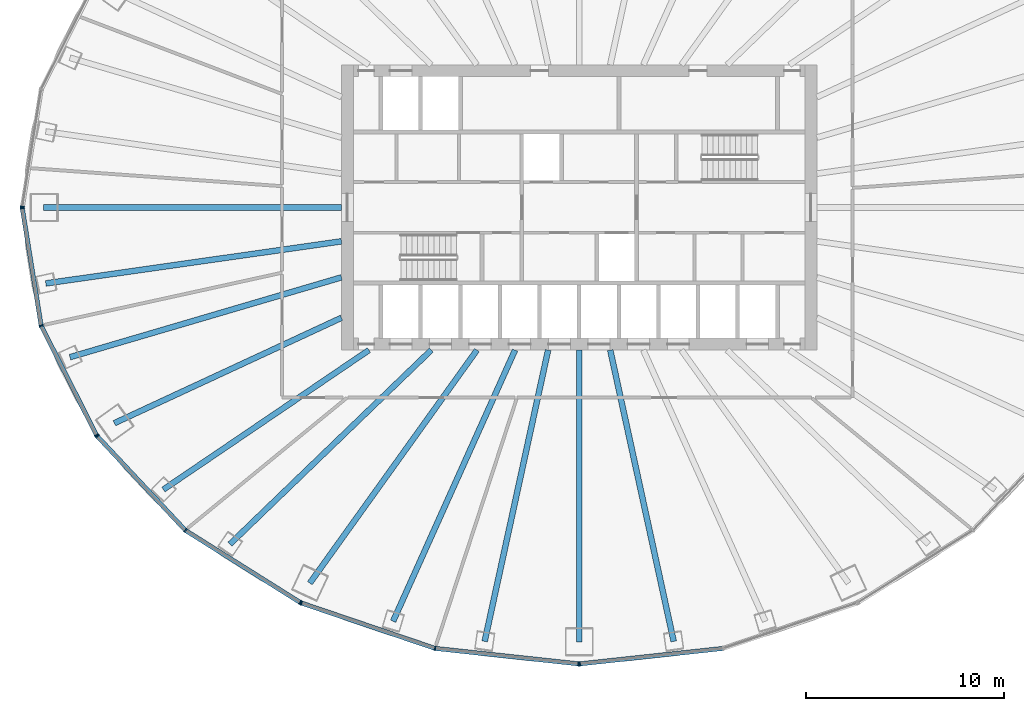
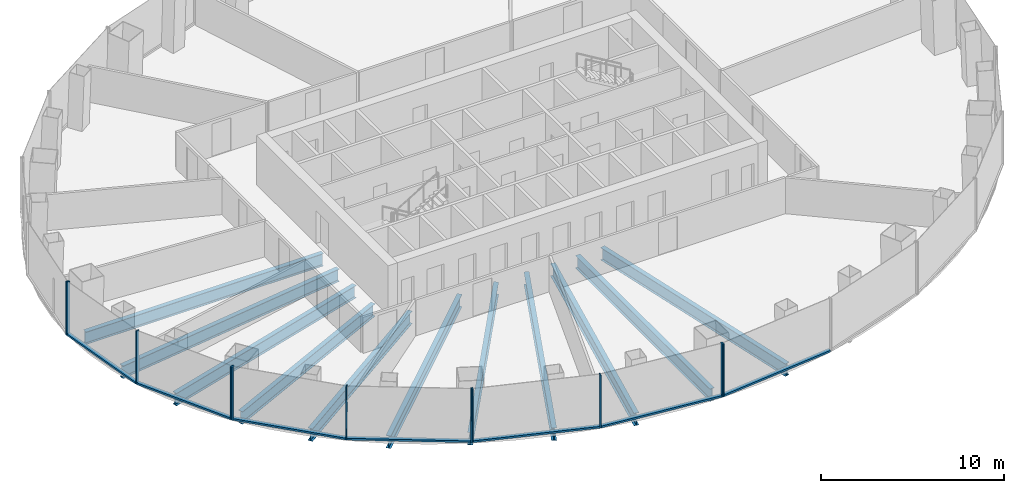
# One storey, part 2 of 11: 18 members, 11 beams, 5 elements without a shape of their own.
"""IFC4 building model written with IfcOpenShell, lengths in metres."""

from ifc_helpers import new_model, si_unit, direction, frame, origin, origin_2d, place, context, subcontext, project, spatial, rectangle, i_section, extrude, material, layer, layer_set, material_profile, profile_set, type_object, element, aggregate, save


model = new_model("IFC4")

# Units and contexts
model_context = context("Model", 3, precision=1e-05, world=origin(), true_north=direction((0.0, 1.0)))
body_context = subcontext(model_context, "Body", "Model", "MODEL_VIEW")
ifc_project = project(units=[si_unit("LENGTHUNIT", "METRE"), si_unit("AREAUNIT", "SQUARE_METRE"), si_unit("VOLUMEUNIT", "CUBIC_METRE"), si_unit("PLANEANGLEUNIT", "RADIAN"), si_unit("MASSUNIT", "GRAM", prefix="KILO")], contexts=[model_context])

# Site, building, storey
site_placement = place(None, origin())
site = spatial("IfcSite", under=ifc_project, at=site_placement, CompositionType="ELEMENT")
building_placement = place(site_placement, origin())
building = spatial("IfcBuilding", under=site, at=building_placement, Name="Siaravel Broadcast Tower", CompositionType="ELEMENT")
storey_placement = place(building_placement, frame((0.0, 0.0, 40.800048828125)))
storey = spatial("IfcBuildingStorey", under=building, at=storey_placement, Name="L08", CompositionType="ELEMENT", Elevation=40.800048828125)

# Beams
ifc_material_1 = material(Name="Steel S355", Category="steel")
ifc_material_profile_1 = material_profile(ifc_material_1, i_section(OverallWidth=0.291748046875, OverallDepth=0.8349609375, WebThickness=0.013916015625, FlangeThickness=0.018798828125, FilletRadius=0.017822265625, at=origin_2d()))
ifc_profile_set_1 = profile_set([ifc_material_profile_1], Name="Steel S355")
beam_type = type_object("IfcBeamType", Name="BM-UB 838x292x176", PredefinedType="BEAM", material=ifc_profile_set_1)
beam_1_placement = place(storey_placement, frame((-27.0302734375, 0.0, -0.567626953125), z_axis=(1.0, 0.0, 0.0), x_axis=(0.0, 1.0, 0.0)))
element("IfcBeam", 1, at=beam_1_placement, inside=storey, type_object=beam_type, Name="Radial beam RB19", PredefinedType="BEAM", context=body_context, shape_type="SweptSolid", body=[
    extrude(i_section(OverallWidth=0.291748046875, OverallDepth=0.8349609375, WebThickness=0.013916015625, FlangeThickness=0.018798828125, FilletRadius=0.017822265625, at=origin_2d()), origin(), (0.0, 0.0, 1.0), 15.0302734375),
])
beam_2_placement = place(storey_placement, frame((-26.920654296875, -3.832763671875, -0.567626953125), z_axis=(0.99001677, 0.140949618, 0.0), x_axis=(-0.140949618, 0.99001677, 0.0)))
element("IfcBeam", 2, at=beam_2_placement, inside=storey, type_object=beam_type, Name="Radial beam RB20", PredefinedType="BEAM", context=body_context, shape_type="SweptSolid", body=[
    extrude(i_section(OverallWidth=0.291748046875, OverallDepth=0.8349609375, WebThickness=0.013916015625, FlangeThickness=0.018798828125, FilletRadius=0.017822265625, at=origin_2d()), origin(), (0.0, 0.0, 1.0), 15.071044921875),
])
beam_3_placement = place(storey_placement, frame((-25.70263671875, -7.555908203125, -0.567626953125), z_axis=(0.959400879, 0.282046013, 0.0), x_axis=(-0.282046013, 0.959400879, 0.0)))
element("IfcBeam", 3, at=beam_3_placement, inside=storey, type_object=beam_type, Name="Radial beam RB21", PredefinedType="BEAM", context=body_context, shape_type="SweptSolid", body=[
    extrude(i_section(OverallWidth=0.291748046875, OverallDepth=0.8349609375, WebThickness=0.013916015625, FlangeThickness=0.018798828125, FilletRadius=0.017822265625, at=origin_2d()), origin(), (0.0, 0.0, 1.0), 14.282470703125),
])
beam_4_placement = place(storey_placement, frame((-23.46240234375, -10.88720703125, -0.567626953125), z_axis=(0.907099082, 0.420917159, 0.0), x_axis=(-0.420917159, 0.907099082, 0.0)))
element("IfcBeam", 4, at=beam_4_placement, inside=storey, type_object=beam_type, Name="Radial beam RB22", PredefinedType="BEAM", context=body_context, shape_type="SweptSolid", body=[
    extrude(i_section(OverallWidth=0.291748046875, OverallDepth=0.8349609375, WebThickness=0.013916015625, FlangeThickness=0.018798828125, FilletRadius=0.017822265625, at=origin_2d()), origin(), (0.0, 0.0, 1.0), 12.63623046875),
])
beam_5_placement = place(storey_placement, frame((-20.989990234375, -14.238525390625, -0.567626953125), z_axis=(0.827559775, 0.561377608, 0.0), x_axis=(-0.561377608, 0.827559775, 0.0)))
element("IfcBeam", 5, at=beam_5_placement, inside=storey, type_object=beam_type, Name="Radial beam RB23", PredefinedType="BEAM", context=body_context, shape_type="SweptSolid", body=[
    extrude(i_section(OverallWidth=0.291748046875, OverallDepth=0.8349609375, WebThickness=0.013916015625, FlangeThickness=0.018798828125, FilletRadius=0.017822265625, at=origin_2d()), origin(), (0.0, 0.0, 1.0), 12.5380859375),
])
beam_6_placement = place(storey_placement, frame((-17.628662109375, -16.99169921875, -0.567626953125), z_axis=(0.719990643, 0.693983771, 0.0), x_axis=(-0.693983771, 0.719990643, 0.0)))
element("IfcBeam", 6, at=beam_6_placement, inside=storey, type_object=beam_type, Name="Radial beam RB24", PredefinedType="BEAM", context=body_context, shape_type="SweptSolid", body=[
    extrude(i_section(OverallWidth=0.291748046875, OverallDepth=0.8349609375, WebThickness=0.013916015625, FlangeThickness=0.018798828125, FilletRadius=0.017822265625, at=origin_2d()), origin(), (0.0, 0.0, 1.0), 14.109375),
])
beam_7_placement = place(storey_placement, frame((-13.5947265625, -18.960205078125, -0.567626953125), z_axis=(0.582699127, 0.812687965, 0.0), x_axis=(-0.812687965, 0.582699127, 0.0)))
element("IfcBeam", 7, at=beam_7_placement, inside=storey, type_object=beam_type, Name="Radial beam RB25", PredefinedType="BEAM", context=body_context, shape_type="SweptSolid", body=[
    extrude(i_section(OverallWidth=0.291748046875, OverallDepth=0.8349609375, WebThickness=0.013916015625, FlangeThickness=0.018798828125, FilletRadius=0.017822265625, at=origin_2d()), origin(), (0.0, 0.0, 1.0), 14.470703125),
])
beam_8_placement = place(storey_placement, frame((-9.392578125, -20.885498046875, -0.567626953125), z_axis=(0.410159013, 0.912014026, 0.0), x_axis=(-0.912014026, 0.410159013, 0.0)))
element("IfcBeam", 8, at=beam_8_placement, inside=storey, type_object=beam_type, Name="Radial beam RB26", PredefinedType="BEAM", context=body_context, shape_type="SweptSolid", body=[
    extrude(i_section(OverallWidth=0.291748046875, OverallDepth=0.8349609375, WebThickness=0.013916015625, FlangeThickness=0.018798828125, FilletRadius=0.017822265625, at=origin_2d()), origin(), (0.0, 0.0, 1.0), 15.005859375),
])
beam_9_placement = place(storey_placement, frame((-4.7705078125, -21.89990234375, -0.567626953125), z_axis=(0.212842612, 0.977086497, 0.0), x_axis=(-0.977086497, 0.212842612, 0.0)))
element("IfcBeam", 9, at=beam_9_placement, inside=storey, type_object=beam_type, Name="Radial beam RB27", PredefinedType="BEAM", context=body_context, shape_type="SweptSolid", body=[
    extrude(i_section(OverallWidth=0.291748046875, OverallDepth=0.8349609375, WebThickness=0.013916015625, FlangeThickness=0.018798828125, FilletRadius=0.017822265625, at=origin_2d()), origin(), (0.0, 0.0, 1.0), 15.044677734375),
])
beam_10_placement = place(storey_placement, frame((0.0, -21.94189453125, -0.567626953125), z_axis=(0.0, 1.0, 0.0), x_axis=(-1.0, 0.0, 0.0)))
element("IfcBeam", 10, at=beam_10_placement, inside=storey, type_object=beam_type, Name="Radial beam RB28", PredefinedType="BEAM", context=body_context, shape_type="SweptSolid", body=[
    extrude(i_section(OverallWidth=0.291748046875, OverallDepth=0.8349609375, WebThickness=0.013916015625, FlangeThickness=0.018798828125, FilletRadius=0.017822265625, at=origin_2d()), origin(), (0.0, 0.0, 1.0), 14.741943359375),
])
beam_11_placement = place(storey_placement, frame((4.7705078125, -21.89990234375, -0.567626953125), z_axis=(-0.212842612, 0.977086497, 0.0), x_axis=(-0.977086497, -0.212842612, 0.0)))
element("IfcBeam", 11, at=beam_11_placement, inside=storey, type_object=beam_type, Name="Radial beam RB29", PredefinedType="BEAM", context=body_context, shape_type="SweptSolid", body=[
    extrude(i_section(OverallWidth=0.291748046875, OverallDepth=0.8349609375, WebThickness=0.013916015625, FlangeThickness=0.018798828125, FilletRadius=0.017822265625, at=origin_2d()), origin(), (0.0, 0.0, 1.0), 15.044677734375),
])

# Curtain wall, member
ifc_material_2 = material(Name="Aluminium 6063-T6", Category="aluminium")
ifc_layer = layer(ifc_material_2, 0.219970703125)
ifc_layer_set = layer_set([ifc_layer], Name="Aluminium 6063-T6")
curtain_wall_type = type_object("IfcCurtainWallType", Name="Unitised curtain wall, zone 1", PredefinedType="NOTDEFINED", material=ifc_layer_set)
curtain_wall_1_placement = place(storey_placement, origin())
curtain_wall_1 = element("IfcCurtainWall", 12, at=curtain_wall_1_placement, inside=storey, type_object=curtain_wall_type, Name="L08 Unitised curtain wall, zone 1 06", PredefinedType="NOTDEFINED")
ifc_material_profile_2 = material_profile(ifc_material_2, rectangle(XDim=0.219970703125, YDim=0.070068359375, at=origin_2d()))
ifc_profile_set_2 = profile_set([ifc_material_profile_2], Name="Aluminium 6063-T6")
member_type_1 = type_object("IfcMemberType", Name="CW-Z1 mullion", PredefinedType="MULLION", material=ifc_profile_set_2)
member_1_placement = place(storey_placement, frame((-28.110595703125, 0.03466796875, 0.0), z_axis=(0.0, 0.0, 1.0), x_axis=(0.987329133, -0.158685802, 0.0)))
member_1 = element("IfcMember", 13, at=member_1_placement, type_object=member_type_1, Name="CW-Z1 mullion 3", PredefinedType="MULLION", context=body_context, shape_type="SweptSolid", body=[
    extrude(rectangle(XDim=0.219970703125, YDim=0.070068359375, at=origin_2d()), origin(), (0.0, 0.0, 1.0), 3.550048828125),
])
aggregate(curtain_wall_1, [member_1])

# Curtain wall, members
curtain_wall_2_placement = place(storey_placement, origin())
curtain_wall_2 = element("IfcCurtainWall", 14, at=curtain_wall_2_placement, inside=storey, type_object=curtain_wall_type, Name="L08 Unitised curtain wall, zone 1 07", PredefinedType="NOTDEFINED")
member_2_placement = place(storey_placement, frame((-28.110595703125, -0.03466796875, 0.0), z_axis=(0.0, 0.0, 1.0), x_axis=(0.987329133, 0.158685802, 0.0)))
member_2 = element("IfcMember", 15, at=member_2_placement, type_object=member_type_1, Name="CW-Z1 mullion 1", PredefinedType="MULLION", context=body_context, shape_type="SweptSolid", body=[
    extrude(rectangle(XDim=0.219970703125, YDim=0.070068359375, at=origin_2d()), origin(), (0.0, 0.0, 1.0), 3.550048828125),
])
member_3_placement = place(storey_placement, frame((-27.1572265625, -5.965576171875, 0.0), z_axis=(0.0, 0.0, 1.0), x_axis=(0.951177076, 0.308645704, 0.0)))
member_3 = element("IfcMember", 16, at=member_3_placement, type_object=member_type_1, Name="CW-Z1 mullion 2", PredefinedType="MULLION", context=body_context, shape_type="SweptSolid", body=[
    extrude(rectangle(XDim=0.219970703125, YDim=0.070068359375, at=origin_2d()), origin(), (0.0, 0.0, 1.0), 3.550048828125),
])
member_4_placement = place(storey_placement, frame((-24.362548828125, -11.4921875, 0.0), z_axis=(0.0, 0.0, 1.0), x_axis=(0.892391814, 0.451261399, 0.0)))
member_4 = element("IfcMember", 17, at=member_4_placement, type_object=member_type_1, Name="CW-Z1 mullion 3", PredefinedType="MULLION", context=body_context, shape_type="SweptSolid", body=[
    extrude(rectangle(XDim=0.219970703125, YDim=0.070068359375, at=origin_2d()), origin(), (0.0, 0.0, 1.0), 3.550048828125),
])

curtain_wall_3_placement = place(storey_placement, origin())
curtain_wall_3 = element("IfcCurtainWall", 18, at=curtain_wall_3_placement, inside=storey, type_object=curtain_wall_type, Name="L08 Unitised curtain wall, zone 1 08", PredefinedType="NOTDEFINED")
member_5_placement = place(storey_placement, frame((-24.322998046875, -11.549072265625, 0.0), z_axis=(0.0, 0.0, 1.0), x_axis=(0.729804946, 0.683655426, 0.0)))
member_5 = element("IfcMember", 19, at=member_5_placement, type_object=member_type_1, Name="CW-Z1 mullion 1", PredefinedType="MULLION", context=body_context, shape_type="SweptSolid", body=[
    extrude(rectangle(XDim=0.219970703125, YDim=0.070068359375, at=origin_2d()), origin(), (0.0, 0.0, 1.0), 3.550048828125),
])
member_6_placement = place(storey_placement, frame((-19.87744140625, -16.294677734375, 0.0), z_axis=(0.0, 0.0, 1.0), x_axis=(0.63621841, 0.771508998, 0.0)))
member_6 = element("IfcMember", 20, at=member_6_placement, type_object=member_type_1, Name="CW-Z1 mullion 2", PredefinedType="MULLION", context=body_context, shape_type="SweptSolid", body=[
    extrude(rectangle(XDim=0.219970703125, YDim=0.070068359375, at=origin_2d()), origin(), (0.0, 0.0, 1.0), 3.550048828125),
])
member_7_placement = place(storey_placement, frame((-14.083984375, -19.935791015625, 0.0), z_axis=(0.0, 0.0, 1.0), x_axis=(0.532149101, 0.846650657, 0.0)))
member_7 = element("IfcMember", 21, at=member_7_placement, type_object=member_type_1, Name="CW-Z1 mullion 3", PredefinedType="MULLION", context=body_context, shape_type="SweptSolid", body=[
    extrude(rectangle(XDim=0.219970703125, YDim=0.070068359375, at=origin_2d()), origin(), (0.0, 0.0, 1.0), 3.550048828125),
])

curtain_wall_4_placement = place(storey_placement, origin())
curtain_wall_4 = element("IfcCurtainWall", 22, at=curtain_wall_4_placement, inside=storey, type_object=curtain_wall_type, Name="L08 Unitised curtain wall, zone 1 09", PredefinedType="NOTDEFINED")
member_8_placement = place(storey_placement, frame((-14.021240234375, -19.9658203125, 0.0), z_axis=(0.0, 0.0, 1.0), x_axis=(0.321300632, 0.946977246, 0.0)))
member_8 = element("IfcMember", 23, at=member_8_placement, type_object=member_type_1, Name="CW-Z1 mullion 1", PredefinedType="MULLION", context=body_context, shape_type="SweptSolid", body=[
    extrude(rectangle(XDim=0.219970703125, YDim=0.070068359375, at=origin_2d()), origin(), (0.0, 0.0, 1.0), 3.550048828125),
])
member_9_placement = place(storey_placement, frame((-7.27490234375, -22.2548828125, 0.0), z_axis=(0.0, 0.0, 1.0), x_axis=(0.215558083, 0.97649102, 0.0)))
member_9 = element("IfcMember", 24, at=member_9_placement, type_object=member_type_1, Name="CW-Z1 mullion 2", PredefinedType="MULLION", context=body_context, shape_type="SweptSolid", body=[
    extrude(rectangle(XDim=0.219970703125, YDim=0.070068359375, at=origin_2d()), origin(), (0.0, 0.0, 1.0), 3.550048828125),
])
member_10_placement = place(storey_placement, frame((-0.034912109375, -23.035400390625, 0.0), z_axis=(0.0, 0.0, 1.0), x_axis=(0.107217509, 0.994235589, 0.0)))
member_10 = element("IfcMember", 25, at=member_10_placement, type_object=member_type_1, Name="CW-Z1 mullion 3", PredefinedType="MULLION", context=body_context, shape_type="SweptSolid", body=[
    extrude(rectangle(XDim=0.219970703125, YDim=0.070068359375, at=origin_2d()), origin(), (0.0, 0.0, 1.0), 3.550048828125),
])

# Curtain wall, member
curtain_wall_5_placement = place(storey_placement, origin())
curtain_wall_5 = element("IfcCurtainWall", 26, at=curtain_wall_5_placement, inside=storey, type_object=curtain_wall_type, Name="L08 Unitised curtain wall, zone 1 10", PredefinedType="NOTDEFINED")
member_11_placement = place(storey_placement, frame((0.034912109375, -23.035400390625, 0.0), z_axis=(0.0, 0.0, 1.0), x_axis=(-0.107217509, 0.994235589, 0.0)))
member_11 = element("IfcMember", 27, at=member_11_placement, type_object=member_type_1, Name="CW-Z1 mullion 1", PredefinedType="MULLION", context=body_context, shape_type="SweptSolid", body=[
    extrude(rectangle(XDim=0.219970703125, YDim=0.070068359375, at=origin_2d()), origin(), (0.0, 0.0, 1.0), 3.550048828125),
])

# Member
ifc_material_profile_3 = material_profile(ifc_material_2, rectangle(XDim=0.219970703125, YDim=0.1201171875, at=origin_2d()))
ifc_profile_set_3 = profile_set([ifc_material_profile_3], Name="Aluminium 6063-T6")
member_type_2 = type_object("IfcMemberType", Name="CW-Z1 transom", PredefinedType="USERDEFINED", material=ifc_profile_set_3)
member_12_placement = place(storey_placement, frame((-28.10498046875, -0.069091796875, 0.06005859375), z_axis=(0.158681674, -0.987329796, 0.0), x_axis=(0.987329796, 0.158681674, 0.0)))
member_12 = element("IfcMember", 28, at=member_12_placement, type_object=member_type_2, Name="CW-Z1 transom 1", ObjectType="TRANSOM", PredefinedType="USERDEFINED", context=body_context, shape_type="SweptSolid", body=[
    extrude(rectangle(XDim=0.219970703125, YDim=0.1201171875, at=origin_2d()), origin(), (0.0, 0.0, 1.0), 5.937255859375),
])

member_13_placement = place(storey_placement, frame((-27.1416015625, -5.996826171875, 0.06005859375), z_axis=(0.451275958, -0.892384452, 0.0), x_axis=(0.892384452, 0.451275958, 0.0)))
member_13 = element("IfcMember", 29, at=member_13_placement, type_object=member_type_2, Name="CW-Z1 transom 2", ObjectType="TRANSOM", PredefinedType="USERDEFINED", context=body_context, shape_type="SweptSolid", body=[
    extrude(rectangle(XDim=0.219970703125, YDim=0.1201171875, at=origin_2d()), origin(), (0.0, 0.0, 1.0), 6.123046875),
])

aggregate(curtain_wall_2, [member_2, member_3, member_4, member_12, member_13])

member_14_placement = place(storey_placement, frame((-24.299072265625, -11.574462890625, 0.06005859375), z_axis=(0.683654492, -0.72980582, 0.0), x_axis=(0.72980582, 0.683654492, 0.0)))
member_14 = element("IfcMember", 30, at=member_14_placement, type_object=member_type_2, Name="CW-Z1 transom 1", ObjectType="TRANSOM", PredefinedType="USERDEFINED", context=body_context, shape_type="SweptSolid", body=[
    extrude(rectangle(XDim=0.219970703125, YDim=0.1201171875, at=origin_2d()), origin(), (0.0, 0.0, 1.0), 6.4326171875),
])

member_15_placement = place(storey_placement, frame((-19.847900390625, -16.313232421875, 0.06005859375), z_axis=(0.846656967, -0.532139062, 0.0), x_axis=(0.532139062, 0.846656967, 0.0)))
member_15 = element("IfcMember", 31, at=member_15_placement, type_object=member_type_2, Name="CW-Z1 transom 2", ObjectType="TRANSOM", PredefinedType="USERDEFINED", context=body_context, shape_type="SweptSolid", body=[
    extrude(rectangle(XDim=0.219970703125, YDim=0.1201171875, at=origin_2d()), origin(), (0.0, 0.0, 1.0), 6.772705078125),
])

aggregate(curtain_wall_3, [member_5, member_6, member_7, member_14, member_15])

member_16_placement = place(storey_placement, frame((-13.988037109375, -19.97705078125, 0.06005859375), z_axis=(0.946973811, -0.321310754, 0.0), x_axis=(0.321310754, 0.946973811, 0.0)))
member_16 = element("IfcMember", 32, at=member_16_placement, type_object=member_type_2, Name="CW-Z1 transom 1", ObjectType="TRANSOM", PredefinedType="USERDEFINED", context=body_context, shape_type="SweptSolid", body=[
    extrude(rectangle(XDim=0.219970703125, YDim=0.1201171875, at=origin_2d()), origin(), (0.0, 0.0, 1.0), 7.05419921875),
])

member_17_placement = place(storey_placement, frame((-7.239990234375, -22.258544921875, 0.06005859375), z_axis=(0.994236438, -0.107209629, 0.0), x_axis=(0.107209629, 0.994236438, 0.0)))
member_17 = element("IfcMember", 33, at=member_17_placement, type_object=member_type_2, Name="CW-Z1 transom 2", ObjectType="TRANSOM", PredefinedType="USERDEFINED", context=body_context, shape_type="SweptSolid", body=[
    extrude(rectangle(XDim=0.219970703125, YDim=0.1201171875, at=origin_2d()), origin(), (0.0, 0.0, 1.0), 7.2119140625),
])

aggregate(curtain_wall_4, [member_8, member_9, member_10, member_16, member_17])

member_18_placement = place(storey_placement, frame((0.069580078125, -23.03173828125, 0.06005859375), z_axis=(0.994236438, 0.107209629, 0.0), x_axis=(-0.107209629, 0.994236438, 0.0)))
member_18 = element("IfcMember", 34, at=member_18_placement, type_object=member_type_2, Name="CW-Z1 transom 1", ObjectType="TRANSOM", PredefinedType="USERDEFINED", context=body_context, shape_type="SweptSolid", body=[
    extrude(rectangle(XDim=0.219970703125, YDim=0.1201171875, at=origin_2d()), origin(), (0.0, 0.0, 1.0), 7.2119140625),
])

aggregate(curtain_wall_5, [member_11, member_18])

save(model, "model.ifc")
